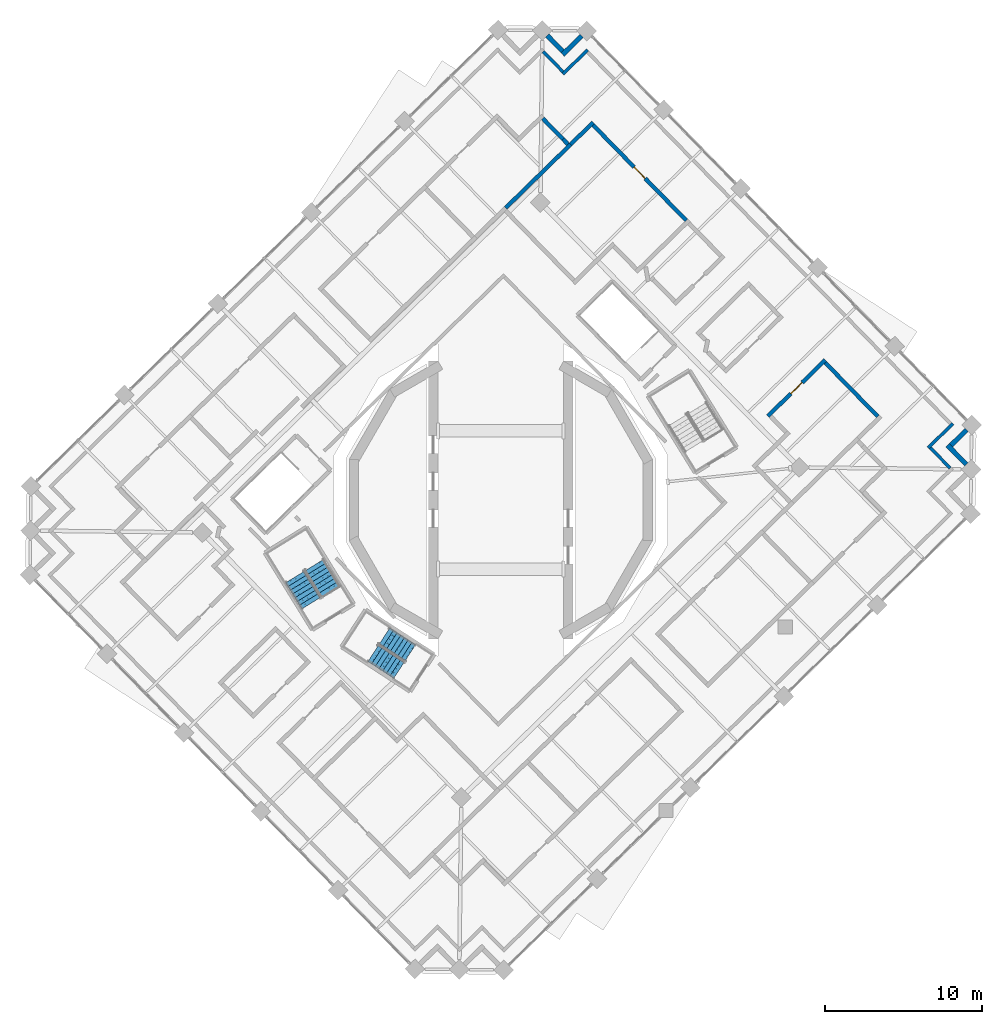
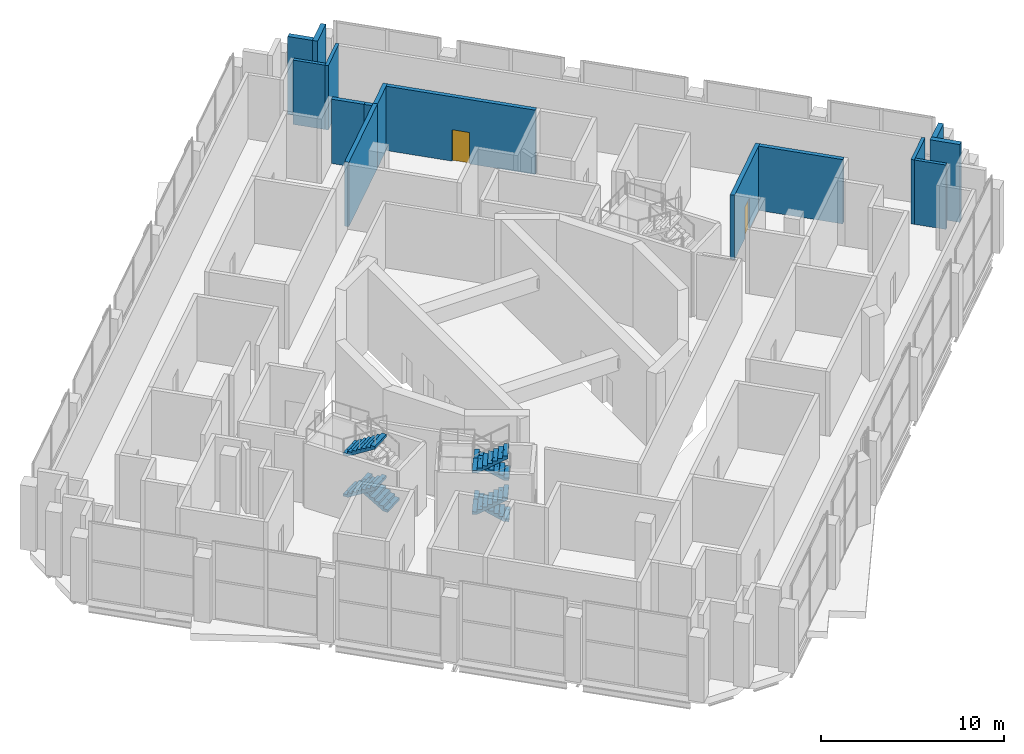
# One storey, part 16 of 20: 15 walls, 7 stair flights, 2 doors, 2 openings, 2 elements without a shape of their own.
"""IFC4 building model written with IfcOpenShell, lengths in metres."""

import ifcopenshell
import ifcopenshell.guid

model = None  # the IFC model being written
_history = None  # IfcOwnerHistory: only IFC2X3 demands one
_inside = {}  # id of a spatial element -> (the spatial element, [elements in it])
_under = {}  # id of a project, library or spatial element -> (it, [spatial elements below it])
_declared = {}  # id of a project -> (the project, [libraries it declares])
_typed = {}  # id of a type object -> (the type object, [elements of that type])
_made_of = {}  # id of a material, layer set ... -> (it, [elements and type objects made of it])


def new_model(schema):
    """Start an empty IFC model of exactly this schema.

    Asked for "IFC4X3", IfcOpenShell would pick the latest addendum, in which some entities
    have other attributes; the version numbers below select the first issue.
    IFC2X3 requires an IfcOwnerHistory on every rooted entity: one is made here for all.
    """
    global model, _history
    if schema == "IFC4X3":
        model = ifcopenshell.file(schema_version=(4, 3, 0, 0))
    else:
        model = ifcopenshell.file(schema=schema)
    _inside.clear()
    _under.clear()
    _declared.clear()
    _typed.clear()
    _made_of.clear()
    _history = None
    if model.schema == "IFC2X3":
        org = make("IfcOrganization", Name="unknown")
        user = make(
            "IfcPersonAndOrganization",
            ThePerson=make("IfcPerson", FamilyName="unknown"),
            TheOrganization=org,
        )
        app = make(
            "IfcApplication",
            ApplicationDeveloper=org,
            Version="unknown",
            ApplicationFullName="unknown",
            ApplicationIdentifier="unknown",
        )
        _history = make(
            "IfcOwnerHistory",
            OwningUser=user,
            OwningApplication=app,
            ChangeAction="ADDED",
            CreationDate=0,
        )
    return model


def make(cls, **values):
    """One entity of the class cls with the attributes given. An attribute that is None is left unset."""
    return model.create_entity(
        cls, **{name: value for name, value in values.items() if value is not None}
    )


def rooted(cls, **values):
    """An entity with a GlobalId (a new one), such as an element, a storey or a relation."""
    return make(cls, GlobalId=ifcopenshell.guid.new(), OwnerHistory=_history, **values)


def si_unit(unit_type, name, prefix=None):
    """IfcSIUnit, for example si_unit("LENGTHUNIT", "METRE", prefix="MILLI")."""
    return make("IfcSIUnit", UnitType=unit_type, Prefix=prefix, Name=name)


def assignment(units):
    """IfcUnitAssignment: the units of a project."""
    return None if units is None else make("IfcUnitAssignment", Units=units)


def point(xyz):
    """IfcCartesianPoint."""
    return None if xyz is None else make("IfcCartesianPoint", Coordinates=xyz)


def direction(xyz):
    """IfcDirection."""
    return None if xyz is None else make("IfcDirection", DirectionRatios=xyz)


def frame(location, z_axis=None, x_axis=None):
    """IfcAxis2Placement3D, a coordinate frame: its origin and axes. An axis left out is left unset."""
    return make(
        "IfcAxis2Placement3D",
        Location=point(location),
        Axis=direction(z_axis),
        RefDirection=direction(x_axis),
    )


def frame_2d(location, x_axis=None):
    """IfcAxis2Placement2D, a coordinate frame in the plane: its origin and x axis."""
    return make(
        "IfcAxis2Placement2D", Location=point(location), RefDirection=direction(x_axis)
    )


def origin():
    """The frame at (0, 0, 0) with its axes left unset."""
    return frame((0.0, 0.0, 0.0))


def place(relative_to, where):
    """IfcLocalPlacement: puts the frame where relative to a parent placement (None: the world)."""
    return make(
        "IfcLocalPlacement", PlacementRelTo=relative_to, RelativePlacement=where
    )


def context(
    kind, dimensions, precision=None, world=None, true_north=None, identifier=None
):
    """IfcGeometricRepresentationContext, for example the 3D "Model" context."""
    return make(
        "IfcGeometricRepresentationContext",
        ContextIdentifier=identifier,
        ContextType=kind,
        CoordinateSpaceDimension=dimensions,
        Precision=precision,
        WorldCoordinateSystem=world,
        TrueNorth=true_north,
    )


def subcontext(parent, identifier, kind, view, scale=None):
    """IfcGeometricRepresentationSubContext, for example "Body" below "Model"."""
    return make(
        "IfcGeometricRepresentationSubContext",
        ContextIdentifier=identifier,
        ContextType=kind,
        ParentContext=parent,
        TargetScale=scale,
        TargetView=view,
    )


def project(units=None, contexts=None):
    """IfcProject with its units and contexts."""
    return rooted(
        "IfcProject",
        Name="project",
        RepresentationContexts=contexts,
        UnitsInContext=assignment(units),
    )


def spatial(cls, under=None, at=None, **own):
    """A site, building, storey or space (cls), placed at a placement, below another one or the project."""
    s = rooted(cls, ObjectPlacement=at, **own)
    if under is not None:
        _under.setdefault(under.id(), (under, []))[1].append(s)
    return s


def polyline(points):
    """IfcPolyline through the points."""
    return make("IfcPolyline", Points=[point(p) for p in points])


def profile(cls, at=None, kind="AREA", **sizes):
    """A parametric profile (cls). Its sizes go by their IFC names, for example OverallWidth=200.0."""
    return make(cls, ProfileType=kind, Position=at, **sizes)


def rectangle(**sizes):
    """IfcRectangleProfileDef."""
    return profile("IfcRectangleProfileDef", **sizes)


def outline(outer, holes=None, kind="AREA"):
    """IfcArbitraryClosedProfileDef: a profile drawn as a closed curve; with holes, ...WithVoids."""
    if holes is None:
        return make("IfcArbitraryClosedProfileDef", ProfileType=kind, OuterCurve=outer)
    return make(
        "IfcArbitraryProfileDefWithVoids",
        ProfileType=kind,
        OuterCurve=outer,
        InnerCurves=holes,
    )


def extrude(swept, where, along, depth):
    """IfcExtrudedAreaSolid: the profile swept, set in the frame where, extruded along a direction by depth."""
    return make(
        "IfcExtrudedAreaSolid",
        SweptArea=swept,
        Position=where,
        ExtrudedDirection=direction(along),
        Depth=depth,
    )


def shape(context_of_items, identifier, shape_type, items):
    """IfcShapeRepresentation: the items that make up one representation, for example the "Body"."""
    return make(
        "IfcShapeRepresentation",
        ContextOfItems=context_of_items,
        RepresentationIdentifier=identifier,
        RepresentationType=shape_type,
        Items=items,
    )


def material(Name=None, Category=None):
    """IfcMaterial."""
    return make("IfcMaterial", Name=Name, Category=Category)


def layer(
    of_material, thickness, ventilated=None, Name=None, Category=None, Priority=None
):
    """IfcMaterialLayer: one layer of a wall or slab, of a material (None: an air gap)."""
    return make(
        "IfcMaterialLayer",
        Material=of_material,
        LayerThickness=thickness,
        IsVentilated=ventilated,
        Name=Name,
        Category=Category,
        Priority=Priority,
    )


def layer_set(layers, Name=None):
    """IfcMaterialLayerSet."""
    return make("IfcMaterialLayerSet", MaterialLayers=layers, LayerSetName=Name)


def made_of(thing, what):
    """Note that an element or type object is made of a material, layer set ...; save() writes the relation."""
    if what is not None:
        _made_of.setdefault(what.id(), (what, []))[1].append(thing)
    return thing


def type_object(cls, material=None, **own):
    """A type object (cls), such as IfcWallType, which elements share."""
    return made_of(rooted(cls, **own), material)


def element(
    cls,
    number,
    at=None,
    inside=None,
    cuts=None,
    type_object=None,
    material=None,
    context=None,
    identifier="Body",
    shape_type=None,
    held_by="IfcProductDefinitionShape",
    body=None,
    shapes=None,
    **own,
):
    """One element of the class cls, such as IfcWall. Its Tag is "e" and its number.

    at: its placement. inside: the storey or other place that contains it. cuts: it is an
    opening in that element (IfcRelVoidsElement). A single representation is given by context,
    identifier, shape_type and body (its items); several are given by shapes. held_by: the class
    of the entity that holds the representations. save() writes the other relations.
    """
    e = rooted(cls, Tag="e%d" % number, ObjectPlacement=at, **own)
    if body is not None:
        shapes = [shape(context, identifier, shape_type, body)]
    if shapes is not None:
        e.Representation = make(held_by, Representations=shapes)
    if inside is not None:
        _inside.setdefault(inside.id(), (inside, []))[1].append(e)
    if cuts is not None:
        rooted(
            "IfcRelVoidsElement", RelatingBuildingElement=cuts, RelatedOpeningElement=e
        )
    if type_object is not None:
        _typed.setdefault(type_object.id(), (type_object, []))[1].append(e)
    return made_of(e, material)


def fill(opening, filler):
    """IfcRelFillsElement: the door or window that sits in an opening."""
    return rooted(
        "IfcRelFillsElement",
        RelatingOpeningElement=opening,
        RelatedBuildingElement=filler,
    )


def aggregate(whole, parts):
    """IfcRelAggregates: a whole, such as a stair, and the parts it consists of."""
    return rooted("IfcRelAggregates", RelatingObject=whole, RelatedObjects=parts)


def save(model, path):
    """Write the relations noted so far, then the file.

    IfcRelAggregates (storeys below a building ...), IfcRelContainedInSpatialStructure (elements
    in a storey), IfcRelDefinesByType, IfcRelAssociatesMaterial and IfcRelDeclares: one each for
    every whole, place, type object, material and project.
    """
    for whole, parts in _under.values():
        aggregate(whole, parts)
    for where, things in _inside.values():
        rooted(
            "IfcRelContainedInSpatialStructure",
            RelatedElements=things,
            RelatingStructure=where,
        )
    for kind, things in _typed.values():
        rooted("IfcRelDefinesByType", RelatedObjects=things, RelatingType=kind)
    for what, things in _made_of.values():
        rooted("IfcRelAssociatesMaterial", RelatedObjects=things, RelatingMaterial=what)
    for by, libraries in _declared.values():
        rooted("IfcRelDeclares", RelatingContext=by, RelatedDefinitions=libraries)
    model.write(path)


model = new_model("IFC4")

# Units and contexts
model_context = context("Model", 3, precision=1e-05, world=origin(), true_north=direction((0.0, 1.0)))
body_context = subcontext(model_context, "Body", "Model", "MODEL_VIEW")
ifc_project = project(units=[si_unit("LENGTHUNIT", "METRE"), si_unit("AREAUNIT", "SQUARE_METRE"), si_unit("VOLUMEUNIT", "CUBIC_METRE"), si_unit("PLANEANGLEUNIT", "RADIAN"), si_unit("MASSUNIT", "GRAM", prefix="KILO")], contexts=[model_context])

# Site, building, storey
site_placement = place(None, origin())
site = spatial("IfcSite", under=ifc_project, at=site_placement, CompositionType="ELEMENT")
building_placement = place(site_placement, origin())
building = spatial("IfcBuilding", under=site, at=building_placement, Name="Cantera Rosa Tower", CompositionType="ELEMENT")
storey_placement = place(building_placement, frame((0.0, 0.0, 245.0)))
storey = spatial("IfcBuildingStorey", under=building, at=storey_placement, Name="L54", CompositionType="ELEMENT", Elevation=245.0)

# Walls
ifc_material_1 = material(Name="Masonry blockwork", Category="masonry")
ifc_layer_1 = layer(ifc_material_1, 0.199951171875)
ifc_layer_set_1 = layer_set([ifc_layer_1], Name="Blockwork partition 200")
wall_type_1 = type_object("IfcWallType", Name="Blockwork partition 200", PredefinedType="PARTITIONING", material=ifc_layer_set_1)
for number, where, z_axis, x_axis, name in (
    (1, (27.228759765625, 3.324951171875, 0.0), (0.0, 0.0, 1.0), (0.715325866743, 0.698791030543, 0.0), "Partition L54-108"),
    (2, (3.957763671875, 27.14404296875, 0.0), (0.0, 0.0, 1.0), (0.715271671648, 0.698846503703, 0.0), "Partition L54-111"),
):
    element("IfcWall", number, at=place(storey_placement, frame(where, z_axis=z_axis, x_axis=x_axis)), inside=storey, type_object=wall_type_1, Name=name, PredefinedType="PARTITIONING", context=body_context, shape_type="SweptSolid", body=[
        extrude(rectangle(XDim=2.199951171875, YDim=0.199951171875, at=frame_2d((1.10009765625, 0.0))), origin(), (0.0, 0.0, 1.0), 4.300048828125),
    ])
for number, where, z_axis, x_axis, name in (
    (3, (28.628173828125, 2.035888671875, 0.0), (0.0, 0.0, 1.0), (-0.69885411507, 0.715264234986, 0.0), "Partition L54-117"),
    (4, (3.959228515625, 27.285400390625, 0.0), (0.0, 0.0, 1.0), (-0.698784721194, 0.715332030197, 0.0), "Partition L54-118"),
):
    element("IfcWall", number, at=place(storey_placement, frame(where, z_axis=z_axis, x_axis=x_axis)), inside=storey, type_object=wall_type_1, Name=name, PredefinedType="PARTITIONING", context=body_context, shape_type="SweptSolid", body=[
        extrude(rectangle(XDim=1.800048828125, YDim=0.199951171875, at=frame_2d((0.89990234375, 0.0))), origin(), (0.0, 0.0, 1.0), 4.300048828125),
    ])
ifc_material_2 = material(Name="Hollow clay masonry with cantera stone cladding", Category="masonry")
ifc_layer_2 = layer(ifc_material_2, 0.300048828125)
ifc_layer_set_2 = layer_set([ifc_layer_2], Name="EW-LOGGIA 300")
wall_type_2 = type_object("IfcWallType", Name="EW-LOGGIA 300", PredefinedType="SOLIDWALL", material=ifc_layer_set_2)
wall_1_placement = place(storey_placement, frame((5.15283203125, 29.56982421875, 0.0), z_axis=(0.0, 0.0, 1.0), x_axis=(-0.715316077832, -0.69880105094, 0.0)))
element("IfcWall", 5, at=wall_1_placement, inside=storey, type_object=wall_type_2, Name="EN-L54-W05a", PredefinedType="SOLIDWALL", context=body_context, shape_type="SweptSolid", body=[
    extrude(rectangle(XDim=1.699951171875, YDim=0.300048828125, at=frame_2d((0.85009765625, 0.0))), origin(), (0.0, 0.0, 1.0), 5.199951171875),
])
wall_2_placement = place(storey_placement, frame((3.939208984375, 28.593994140625, 0.0), z_axis=(0.0, 0.0, 1.0), x_axis=(-0.698861982187, 0.715256548278, 0.0)))
element("IfcWall", 6, at=wall_2_placement, inside=storey, type_object=wall_type_2, Name="EN-L54-W05b", PredefinedType="SOLIDWALL", context=body_context, shape_type="SweptSolid", body=[
    extrude(rectangle(XDim=1.39990234375, YDim=0.300048828125, at=frame_2d((0.699951171875, 0.0))), origin(), (0.0, 0.0, 1.0), 5.199951171875),
])
wall_3_placement = place(storey_placement, frame((29.65625, 2.271484375, 0.0), z_axis=(0.0, 0.0, 1.0), x_axis=(-0.698872839675, 0.715245939495, 0.0)))
element("IfcWall", 7, at=wall_3_placement, inside=storey, type_object=wall_type_2, Name="EN-L54-W27a", PredefinedType="SOLIDWALL", context=body_context, shape_type="SweptSolid", body=[
    extrude(rectangle(XDim=1.699951171875, YDim=0.300048828125, at=frame_2d((0.85009765625, 0.0))), origin(), (0.0, 0.0, 1.0), 5.199951171875),
])
wall_4_placement = place(storey_placement, frame((28.680419921875, 3.48486328125, 0.0), z_axis=(0.0, 0.0, 1.0), x_axis=(0.71516937164, 0.698951192766, 0.0)))
element("IfcWall", 8, at=wall_4_placement, inside=storey, type_object=wall_type_2, Name="EN-L54-W27b", PredefinedType="SOLIDWALL", context=body_context, shape_type="SweptSolid", body=[
    extrude(rectangle(XDim=1.39990234375, YDim=0.300048828125, at=frame_2d((0.699951171875, 0.0))), origin(), (0.0, 0.0, 1.0), 5.199951171875),
])
ifc_material_3 = material(Name="Masonry blockwork", Category="masonry")
ifc_layer_3 = layer(ifc_material_3, 0.25)
ifc_layer_set_3 = layer_set([ifc_layer_3], Name="Fire-rated wall 250")
wall_type_3 = type_object("IfcWallType", Name="Fire-rated wall 250", PredefinedType="PARTITIONING", material=ifc_layer_set_3)
wall_5_placement = place(storey_placement, frame((0.304931640625, 18.6123046875, 0.0), z_axis=(0.0, 0.0, 1.0), x_axis=(0.715286643905, 0.698831179221, 0.0)))
element("IfcWall", 9, at=wall_5_placement, inside=storey, type_object=wall_type_3, Name="Fire wall L54-33", PredefinedType="PARTITIONING", context=body_context, shape_type="SweptSolid", body=[
    extrude(rectangle(XDim=5.801025390625, YDim=0.25, at=frame_2d((2.900390625, 0.0))), origin(), (0.0, 0.0, 1.0), 4.300048828125),
])
wall_6_placement = place(storey_placement, frame((4.454345703125, 22.666259765625, 0.0), z_axis=(0.0, 0.0, 1.0), x_axis=(0.715302350953, 0.698815101955, 0.0)))
element("IfcWall", 10, at=wall_6_placement, inside=storey, type_object=wall_type_3, Name="Fire wall L54-34", PredefinedType="PARTITIONING", context=body_context, shape_type="SweptSolid", body=[
    extrude(rectangle(XDim=1.9990234375, YDim=0.25, at=frame_2d((0.99951171875, 0.0))), origin(), (0.0, 0.0, 1.0), 4.300048828125),
])
wall_7_placement = place(storey_placement, frame((4.277587890625, 22.668212890625, 0.0), z_axis=(0.0, 0.0, 1.0), x_axis=(-0.69862951548, 0.715483612741, 0.0)))
element("IfcWall", 11, at=wall_7_placement, inside=storey, type_object=wall_type_3, Name="Fire wall L54-46", PredefinedType="PARTITIONING", context=body_context, shape_type="SweptSolid", body=[
    extrude(rectangle(XDim=0.448974609375, YDim=0.25, at=frame_2d((0.224609375, 0.0))), origin(), (0.0, 0.0, 1.0), 4.300048828125),
])
wall_8_placement = place(storey_placement, frame((3.9638671875, 22.989501953125, 0.0), z_axis=(0.0, 0.0, 1.0), x_axis=(-0.698814871501, 0.715302576095, 0.0)))
element("IfcWall", 12, at=wall_8_placement, inside=storey, type_object=wall_type_3, Name="Fire wall L54-47", PredefinedType="PARTITIONING", context=body_context, shape_type="SweptSolid", body=[
    extrude(rectangle(XDim=1.850830078125, YDim=0.25, at=frame_2d((0.92529296875, 0.0))), origin(), (0.0, 0.0, 1.0), 4.300048828125),
])

# Wall, opening, door
wall_9_placement = place(storey_placement, frame((17.00830078125, 5.340087890625, 0.0), z_axis=(0.0, 0.0, 1.0), x_axis=(0.715272665051, 0.69884548695, 0.0)))
wall_9 = element("IfcWall", 13, at=wall_9_placement, inside=storey, type_object=wall_type_3, Name="Fire wall L54-51", PredefinedType="PARTITIONING", context=body_context, shape_type="SweptSolid", body=[
    extrude(rectangle(XDim=5.12744140625, YDim=0.25, at=frame_2d((2.563720703125, 0.0))), origin(), (0.0, 0.0, 1.0), 4.300048828125),
])
opening_1_placement = place(wall_9_placement, frame((2.063720703125, 0.0, 0.0)))
opening_1 = element("IfcOpeningElement", 14, at=opening_1_placement, cuts=wall_9, Name="Opening L54-005", PredefinedType="OPENING", context=body_context, shape_type="SweptSolid", body=[
    extrude(rectangle(XDim=1.0, YDim=2.10009765625, at=frame_2d((0.5, 1.050048828125))), frame((0.0, 0.135009765625, 0.0), z_axis=(0.0, -1.0, 0.0), x_axis=(1.0, 0.0, 0.0)), (0.0, 0.0, 1.0), 0.27001953125),
])
ifc_material_4 = material(Name="Steel S355J2 (EN 10025-2)", Category="steel")
door_type = type_object("IfcDoorType", Name="Fire door 1000x2100", OperationType="NOTDEFINED", PredefinedType="DOOR", material=ifc_material_4)
door_1_placement = place(opening_1_placement, origin())
door_1 = element("IfcDoor", 15, at=door_1_placement, inside=storey, type_object=door_type, Name="Door L54-005", OverallHeight=2.10009765625, OverallWidth=1.0, PredefinedType="DOOR", context=body_context, shape_type="SweptSolid", body=[
    extrude(rectangle(XDim=1.0, YDim=2.10009765625, at=frame_2d((0.5, 1.050048828125))), frame((0.0, 0.02490234375, 0.0), z_axis=(0.0, -1.0, 0.0), x_axis=(1.0, 0.0, 0.0)), (0.0, 0.0, 1.0), 0.050048828125),
])
fill(opening_1, door_1)

# Wall
wall_10_placement = place(storey_placement, frame((24.016845703125, 5.32470703125, 0.0), z_axis=(0.0, 0.0, 1.0), x_axis=(-0.698816657899, 0.71530083087, 0.0)))
element("IfcWall", 16, at=wall_10_placement, inside=storey, type_object=wall_type_3, Name="Fire wall L54-52", PredefinedType="PARTITIONING", context=body_context, shape_type="SweptSolid", body=[
    extrude(rectangle(XDim=4.783935546875, YDim=0.25, at=frame_2d((2.39208984375, 0.0))), origin(), (0.0, 0.0, 1.0), 4.300048828125),
])

# Wall, opening, door
wall_11_placement = place(storey_placement, frame((11.810546875, 17.818359375, 0.0), z_axis=(0.0, 0.0, 1.0), x_axis=(-0.698828227641, 0.715289527571, 0.0)))
wall_11 = element("IfcWall", 17, at=wall_11_placement, inside=storey, type_object=wall_type_3, Name="Fire wall L54-55", PredefinedType="PARTITIONING", context=body_context, shape_type="SweptSolid", body=[
    extrude(rectangle(XDim=8.4833984375, YDim=0.25, at=frame_2d((4.24169921875, 0.0))), origin(), (0.0, 0.0, 1.0), 4.300048828125),
])
opening_2_placement = place(wall_11_placement, frame((3.74169921875, 0.0, 0.0)))
opening_2 = element("IfcOpeningElement", 18, at=opening_2_placement, cuts=wall_11, Name="Opening L54-008", PredefinedType="OPENING", context=body_context, shape_type="SweptSolid", body=[
    extrude(rectangle(XDim=1.0, YDim=2.10009765625, at=frame_2d((0.5, 1.050048828125))), frame((0.0, 0.135009765625, 0.0), z_axis=(0.0, -1.0, 0.0), x_axis=(1.0, 0.0, 0.0)), (0.0, 0.0, 1.0), 0.27001953125),
])
door_2_placement = place(opening_2_placement, origin())
door_2 = element("IfcDoor", 19, at=door_2_placement, inside=storey, type_object=door_type, Name="Door L54-008", OverallHeight=2.10009765625, OverallWidth=1.0, PredefinedType="DOOR", context=body_context, shape_type="SweptSolid", body=[
    extrude(rectangle(XDim=1.0, YDim=2.10009765625, at=frame_2d((0.5, 1.050048828125))), frame((0.0, 0.02490234375, 0.0), z_axis=(0.0, -1.0, 0.0), x_axis=(1.0, 0.0, 0.0)), (0.0, 0.0, 1.0), 0.050048828125),
])
fill(opening_2, door_2)

# Stair, stair flights
ifc_material_5 = material(Name="Concrete C35/45", Category="concrete")
stair_type_1 = type_object("IfcStairType", Name="EXIT STAIR 1200 DOGLEG", PredefinedType="HALF_TURN_STAIR", material=ifc_material_5)
stair_1_placement = place(storey_placement, origin())
stair_1 = element("IfcStair", 20, at=stair_1_placement, inside=storey, type_object=stair_type_1, Name="L54 ST-53", PredefinedType="HALF_TURN_STAIR")
ifc_material_6 = material(Name="Concrete C35/45", Category="concrete")
stair_flight_type_1 = type_object("IfcStairFlightType", Name="STAIR FLIGHT 1200 R32x172", PredefinedType="STRAIGHT", material=ifc_material_6)
stair_flight_1_placement = place(storey_placement, frame((-5.76318359375, -9.728271484375, 0.0), z_axis=(0.0, 0.0, 1.0), x_axis=(-0.838670567945, 0.544639035015, 0.0)))
stair_flight_1 = element("IfcStairFlight", 21, at=stair_flight_1_placement, type_object=stair_flight_type_1, Name="ST-53 flight 1", NumberOfRisers=8, NumberOfTreads=7, PredefinedType="STRAIGHT", RiserHeight=0.171875, TreadLength=0.28, context=body_context, shape_type="SweptSolid", body=[
    extrude(outline(polyline([(0.0, 0.0), (0.0, 0.171875), (0.280029296875, 0.171875), (0.280029296875, 0.34375), (0.56005859375, 0.34375), (0.56005859375, 0.515625), (0.840087890625, 0.515625), (0.840087890625, 0.6875), (1.1201171875, 0.6875), (1.1201171875, 0.859375), (1.39990234375, 0.859375), (1.39990234375, 1.03125), (1.679931640625, 1.03125), (1.679931640625, 1.203125), (1.9599609375, 1.203125), (1.9599609375, 1.375), (1.9599609375, 1.02734375), (0.28662109375, 0.0), (0.0, 0.0)])), frame((0.0, 0.60009765625, 0.0), z_axis=(0.0, -1.0, 0.0), x_axis=(1.0, 0.0, 0.0)), (0.0, 0.0, 1.0), 0.298583984375),
    extrude(outline(polyline([(0.0, 0.0), (0.0, 0.171875), (0.280029296875, 0.171875), (0.280029296875, 0.34375), (0.56005859375, 0.34375), (0.56005859375, 0.515625), (0.840087890625, 0.515625), (0.840087890625, 0.6875), (1.1201171875, 0.6875), (1.1201171875, 0.859375), (1.39990234375, 0.859375), (1.39990234375, 1.03125), (1.679931640625, 1.03125), (1.679931640625, 1.203125), (1.9599609375, 1.203125), (1.9599609375, 1.375), (1.9599609375, 1.02734375), (0.28662109375, 0.0), (0.0, 0.0)])), frame((0.0, 0.29931640625, 0.0), z_axis=(0.0, -1.0, 0.0), x_axis=(1.0, 0.0, 0.0)), (0.0, 0.0, 1.0), 0.298583984375),
    extrude(outline(polyline([(0.0, 0.0), (0.0, 0.171875), (0.280029296875, 0.171875), (0.280029296875, 0.34375), (0.56005859375, 0.34375), (0.56005859375, 0.515625), (0.840087890625, 0.515625), (0.840087890625, 0.6875), (1.1201171875, 0.6875), (1.1201171875, 0.859375), (1.39990234375, 0.859375), (1.39990234375, 1.03125), (1.679931640625, 1.03125), (1.679931640625, 1.203125), (1.9599609375, 1.203125), (1.9599609375, 1.375), (1.9599609375, 1.02734375), (0.28662109375, 0.0), (0.0, 0.0)])), frame((0.0, -0.0009765625, 0.0), z_axis=(0.0, -1.0, 0.0), x_axis=(1.0, 0.0, 0.0)), (0.0, 0.0, 1.0), 0.298583984375),
    extrude(outline(polyline([(0.0, 0.0), (0.0, 0.171875), (0.280029296875, 0.171875), (0.280029296875, 0.34375), (0.56005859375, 0.34375), (0.56005859375, 0.515625), (0.840087890625, 0.515625), (0.840087890625, 0.6875), (1.1201171875, 0.6875), (1.1201171875, 0.859375), (1.39990234375, 0.859375), (1.39990234375, 1.03125), (1.679931640625, 1.03125), (1.679931640625, 1.203125), (1.9599609375, 1.203125), (1.9599609375, 1.375), (1.9599609375, 1.02734375), (0.28662109375, 0.0), (0.0, 0.0)])), frame((0.0, -0.3017578125, 0.0), z_axis=(0.0, -1.0, 0.0), x_axis=(1.0, 0.0, 0.0)), (0.0, 0.0, 1.0), 0.298583984375),
])
stair_flight_2_placement = place(storey_placement, frame((-8.14208984375, -9.79296875, 1.375), z_axis=(0.0, 0.0, 1.0), x_axis=(0.838670567945, -0.544639035015, 0.0)))
stair_flight_2 = element("IfcStairFlight", 22, at=stair_flight_2_placement, type_object=stair_flight_type_1, Name="ST-53 flight 2", NumberOfRisers=8, NumberOfTreads=7, PredefinedType="STRAIGHT", RiserHeight=0.171875, TreadLength=0.28, context=body_context, shape_type="SweptSolid", body=[
    extrude(outline(polyline([(0.0, 0.0), (0.0, 0.171875), (0.280029296875, 0.171875), (0.280029296875, 0.34375), (0.56005859375, 0.34375), (0.56005859375, 0.515625), (0.840087890625, 0.515625), (0.840087890625, 0.6875), (1.1201171875, 0.6875), (1.1201171875, 0.859375), (1.39990234375, 0.859375), (1.39990234375, 1.03125), (1.679931640625, 1.03125), (1.679931640625, 1.203125), (1.9599609375, 1.203125), (1.9599609375, 1.375), (1.9599609375, 1.02734375), (0.28662109375, 0.0), (0.0, 0.0)])), frame((0.0, 0.60009765625, 0.0), z_axis=(0.0, -1.0, 0.0), x_axis=(1.0, 0.0, 0.0)), (0.0, 0.0, 1.0), 0.298583984375),
    extrude(outline(polyline([(0.0, 0.0), (0.0, 0.171875), (0.280029296875, 0.171875), (0.280029296875, 0.34375), (0.56005859375, 0.34375), (0.56005859375, 0.515625), (0.840087890625, 0.515625), (0.840087890625, 0.6875), (1.1201171875, 0.6875), (1.1201171875, 0.859375), (1.39990234375, 0.859375), (1.39990234375, 1.03125), (1.679931640625, 1.03125), (1.679931640625, 1.203125), (1.9599609375, 1.203125), (1.9599609375, 1.375), (1.9599609375, 1.02734375), (0.28662109375, 0.0), (0.0, 0.0)])), frame((0.0, 0.29931640625, 0.0), z_axis=(0.0, -1.0, 0.0), x_axis=(1.0, 0.0, 0.0)), (0.0, 0.0, 1.0), 0.298583984375),
    extrude(outline(polyline([(0.0, 0.0), (0.0, 0.171875), (0.280029296875, 0.171875), (0.280029296875, 0.34375), (0.56005859375, 0.34375), (0.56005859375, 0.515625), (0.840087890625, 0.515625), (0.840087890625, 0.6875), (1.1201171875, 0.6875), (1.1201171875, 0.859375), (1.39990234375, 0.859375), (1.39990234375, 1.03125), (1.679931640625, 1.03125), (1.679931640625, 1.203125), (1.9599609375, 1.203125), (1.9599609375, 1.375), (1.9599609375, 1.02734375), (0.28662109375, 0.0), (0.0, 0.0)])), frame((0.0, -0.0009765625, 0.0), z_axis=(0.0, -1.0, 0.0), x_axis=(1.0, 0.0, 0.0)), (0.0, 0.0, 1.0), 0.298583984375),
    extrude(outline(polyline([(0.0, 0.0), (0.0, 0.171875), (0.280029296875, 0.171875), (0.280029296875, 0.34375), (0.56005859375, 0.34375), (0.56005859375, 0.515625), (0.840087890625, 0.515625), (0.840087890625, 0.6875), (1.1201171875, 0.6875), (1.1201171875, 0.859375), (1.39990234375, 0.859375), (1.39990234375, 1.03125), (1.679931640625, 1.03125), (1.679931640625, 1.203125), (1.9599609375, 1.203125), (1.9599609375, 1.375), (1.9599609375, 1.02734375), (0.28662109375, 0.0), (0.0, 0.0)])), frame((0.0, -0.3017578125, 0.0), z_axis=(0.0, -1.0, 0.0), x_axis=(1.0, 0.0, 0.0)), (0.0, 0.0, 1.0), 0.298583984375),
])
stair_flight_3_placement = place(storey_placement, frame((-5.76318359375, -9.728271484375, 2.75), z_axis=(0.0, 0.0, 1.0), x_axis=(-0.838670567945, 0.544639035015, 0.0)))
stair_flight_3 = element("IfcStairFlight", 23, at=stair_flight_3_placement, type_object=stair_flight_type_1, Name="ST-53 flight 3", NumberOfRisers=8, NumberOfTreads=7, PredefinedType="STRAIGHT", RiserHeight=0.171875, TreadLength=0.28, context=body_context, shape_type="SweptSolid", body=[
    extrude(outline(polyline([(0.0, 0.0), (0.0, 0.171875), (0.280029296875, 0.171875), (0.280029296875, 0.34375), (0.56005859375, 0.34375), (0.56005859375, 0.515625), (0.840087890625, 0.515625), (0.840087890625, 0.6875), (1.1201171875, 0.6875), (1.1201171875, 0.859375), (1.39990234375, 0.859375), (1.39990234375, 1.03125), (1.679931640625, 1.03125), (1.679931640625, 1.203125), (1.9599609375, 1.203125), (1.9599609375, 1.375), (1.9599609375, 1.02734375), (0.28662109375, 0.0), (0.0, 0.0)])), frame((0.0, 0.60009765625, 0.0), z_axis=(0.0, -1.0, 0.0), x_axis=(1.0, 0.0, 0.0)), (0.0, 0.0, 1.0), 0.298583984375),
    extrude(outline(polyline([(0.0, 0.0), (0.0, 0.171875), (0.280029296875, 0.171875), (0.280029296875, 0.34375), (0.56005859375, 0.34375), (0.56005859375, 0.515625), (0.840087890625, 0.515625), (0.840087890625, 0.6875), (1.1201171875, 0.6875), (1.1201171875, 0.859375), (1.39990234375, 0.859375), (1.39990234375, 1.03125), (1.679931640625, 1.03125), (1.679931640625, 1.203125), (1.9599609375, 1.203125), (1.9599609375, 1.375), (1.9599609375, 1.02734375), (0.28662109375, 0.0), (0.0, 0.0)])), frame((0.0, 0.29931640625, 0.0), z_axis=(0.0, -1.0, 0.0), x_axis=(1.0, 0.0, 0.0)), (0.0, 0.0, 1.0), 0.298583984375),
    extrude(outline(polyline([(0.0, 0.0), (0.0, 0.171875), (0.280029296875, 0.171875), (0.280029296875, 0.34375), (0.56005859375, 0.34375), (0.56005859375, 0.515625), (0.840087890625, 0.515625), (0.840087890625, 0.6875), (1.1201171875, 0.6875), (1.1201171875, 0.859375), (1.39990234375, 0.859375), (1.39990234375, 1.03125), (1.679931640625, 1.03125), (1.679931640625, 1.203125), (1.9599609375, 1.203125), (1.9599609375, 1.375), (1.9599609375, 1.02734375), (0.28662109375, 0.0), (0.0, 0.0)])), frame((0.0, -0.0009765625, 0.0), z_axis=(0.0, -1.0, 0.0), x_axis=(1.0, 0.0, 0.0)), (0.0, 0.0, 1.0), 0.298583984375),
    extrude(outline(polyline([(0.0, 0.0), (0.0, 0.171875), (0.280029296875, 0.171875), (0.280029296875, 0.34375), (0.56005859375, 0.34375), (0.56005859375, 0.515625), (0.840087890625, 0.515625), (0.840087890625, 0.6875), (1.1201171875, 0.6875), (1.1201171875, 0.859375), (1.39990234375, 0.859375), (1.39990234375, 1.03125), (1.679931640625, 1.03125), (1.679931640625, 1.203125), (1.9599609375, 1.203125), (1.9599609375, 1.375), (1.9599609375, 1.02734375), (0.28662109375, 0.0), (0.0, 0.0)])), frame((0.0, -0.3017578125, 0.0), z_axis=(0.0, -1.0, 0.0), x_axis=(1.0, 0.0, 0.0)), (0.0, 0.0, 1.0), 0.298583984375),
])
stair_flight_4_placement = place(storey_placement, frame((-8.14208984375, -9.79296875, 4.125), z_axis=(0.0, 0.0, 1.0), x_axis=(0.838670567945, -0.544639035015, 0.0)))
stair_flight_4 = element("IfcStairFlight", 24, at=stair_flight_4_placement, type_object=stair_flight_type_1, Name="ST-53 flight 4", NumberOfRisers=8, NumberOfTreads=7, PredefinedType="STRAIGHT", RiserHeight=0.171875, TreadLength=0.28, context=body_context, shape_type="SweptSolid", body=[
    extrude(outline(polyline([(0.0, 0.0), (0.0, 0.171875), (0.280029296875, 0.171875), (0.280029296875, 0.34375), (0.56005859375, 0.34375), (0.56005859375, 0.515625), (0.840087890625, 0.515625), (0.840087890625, 0.6875), (1.1201171875, 0.6875), (1.1201171875, 0.859375), (1.39990234375, 0.859375), (1.39990234375, 1.03125), (1.679931640625, 1.03125), (1.679931640625, 1.203125), (1.9599609375, 1.203125), (1.9599609375, 1.375), (1.9599609375, 1.02734375), (0.28662109375, 0.0), (0.0, 0.0)])), frame((0.0, 0.60009765625, 0.0), z_axis=(0.0, -1.0, 0.0), x_axis=(1.0, 0.0, 0.0)), (0.0, 0.0, 1.0), 0.298583984375),
    extrude(outline(polyline([(0.0, 0.0), (0.0, 0.171875), (0.280029296875, 0.171875), (0.280029296875, 0.34375), (0.56005859375, 0.34375), (0.56005859375, 0.515625), (0.840087890625, 0.515625), (0.840087890625, 0.6875), (1.1201171875, 0.6875), (1.1201171875, 0.859375), (1.39990234375, 0.859375), (1.39990234375, 1.03125), (1.679931640625, 1.03125), (1.679931640625, 1.203125), (1.9599609375, 1.203125), (1.9599609375, 1.375), (1.9599609375, 1.02734375), (0.28662109375, 0.0), (0.0, 0.0)])), frame((0.0, 0.29931640625, 0.0), z_axis=(0.0, -1.0, 0.0), x_axis=(1.0, 0.0, 0.0)), (0.0, 0.0, 1.0), 0.298583984375),
    extrude(outline(polyline([(0.0, 0.0), (0.0, 0.171875), (0.280029296875, 0.171875), (0.280029296875, 0.34375), (0.56005859375, 0.34375), (0.56005859375, 0.515625), (0.840087890625, 0.515625), (0.840087890625, 0.6875), (1.1201171875, 0.6875), (1.1201171875, 0.859375), (1.39990234375, 0.859375), (1.39990234375, 1.03125), (1.679931640625, 1.03125), (1.679931640625, 1.203125), (1.9599609375, 1.203125), (1.9599609375, 1.375), (1.9599609375, 1.02734375), (0.28662109375, 0.0), (0.0, 0.0)])), frame((0.0, -0.0009765625, 0.0), z_axis=(0.0, -1.0, 0.0), x_axis=(1.0, 0.0, 0.0)), (0.0, 0.0, 1.0), 0.298583984375),
    extrude(outline(polyline([(0.0, 0.0), (0.0, 0.171875), (0.280029296875, 0.171875), (0.280029296875, 0.34375), (0.56005859375, 0.34375), (0.56005859375, 0.515625), (0.840087890625, 0.515625), (0.840087890625, 0.6875), (1.1201171875, 0.6875), (1.1201171875, 0.859375), (1.39990234375, 0.859375), (1.39990234375, 1.03125), (1.679931640625, 1.03125), (1.679931640625, 1.203125), (1.9599609375, 1.203125), (1.9599609375, 1.375), (1.9599609375, 1.02734375), (0.28662109375, 0.0), (0.0, 0.0)])), frame((0.0, -0.3017578125, 0.0), z_axis=(0.0, -1.0, 0.0), x_axis=(1.0, 0.0, 0.0)), (0.0, 0.0, 1.0), 0.298583984375),
])
aggregate(stair_1, [stair_flight_1, stair_flight_2, stair_flight_3, stair_flight_4])

ifc_material_7 = material(Name="Concrete C35/45", Category="concrete")
stair_type_2 = type_object("IfcStairType", Name="EXIT STAIR 1350 DOGLEG", PredefinedType="HALF_TURN_STAIR", material=ifc_material_7)
stair_2_placement = place(storey_placement, origin())
stair_2 = element("IfcStair", 25, at=stair_2_placement, inside=storey, type_object=stair_type_2, Name="L54 ST-52", PredefinedType="HALF_TURN_STAIR")
ifc_material_8 = material(Name="Concrete C35/45", Category="concrete")
stair_flight_type_2 = type_object("IfcStairFlightType", Name="STAIR FLIGHT 1350 R32x172", PredefinedType="STRAIGHT", material=ifc_material_8)
stair_flight_5_placement = place(storey_placement, frame((-10.82666015625, -5.7978515625, 0.0), z_axis=(0.0, 0.0, 1.0), x_axis=(-0.524976585286, 0.851116669383, 0.0)))
stair_flight_5 = element("IfcStairFlight", 26, at=stair_flight_5_placement, type_object=stair_flight_type_2, Name="ST-52 flight 1", NumberOfRisers=8, NumberOfTreads=7, PredefinedType="STRAIGHT", RiserHeight=0.171875, TreadLength=0.28, context=body_context, shape_type="SweptSolid", body=[
    extrude(outline(polyline([(0.0, 0.0), (0.0, 0.171875), (0.280029296875, 0.171875), (0.280029296875, 0.34375), (0.56005859375, 0.34375), (0.56005859375, 0.515625), (0.840087890625, 0.515625), (0.840087890625, 0.6875), (1.1201171875, 0.6875), (1.1201171875, 0.859375), (1.39990234375, 0.859375), (1.39990234375, 1.03125), (1.679931640625, 1.03125), (1.679931640625, 1.203125), (1.9599609375, 1.203125), (1.9599609375, 1.375), (1.9599609375, 1.02734375), (0.28662109375, 0.0), (0.0, 0.0)])), frame((0.0, 0.675048828125, 0.0), z_axis=(0.0, -1.0, 0.0), x_axis=(1.0, 0.0, 0.0)), (0.0, 0.0, 1.0), 0.3359375),
    extrude(outline(polyline([(0.0, 0.0), (0.0, 0.171875), (0.280029296875, 0.171875), (0.280029296875, 0.34375), (0.56005859375, 0.34375), (0.56005859375, 0.515625), (0.840087890625, 0.515625), (0.840087890625, 0.6875), (1.1201171875, 0.6875), (1.1201171875, 0.859375), (1.39990234375, 0.859375), (1.39990234375, 1.03125), (1.679931640625, 1.03125), (1.679931640625, 1.203125), (1.9599609375, 1.203125), (1.9599609375, 1.375), (1.9599609375, 1.02734375), (0.28662109375, 0.0), (0.0, 0.0)])), frame((0.0, 0.337158203125, 0.0), z_axis=(0.0, -1.0, 0.0), x_axis=(1.0, 0.0, 0.0)), (0.0, 0.0, 1.0), 0.3359375),
    extrude(outline(polyline([(0.0, 0.0), (0.0, 0.171875), (0.280029296875, 0.171875), (0.280029296875, 0.34375), (0.56005859375, 0.34375), (0.56005859375, 0.515625), (0.840087890625, 0.515625), (0.840087890625, 0.6875), (1.1201171875, 0.6875), (1.1201171875, 0.859375), (1.39990234375, 0.859375), (1.39990234375, 1.03125), (1.679931640625, 1.03125), (1.679931640625, 1.203125), (1.9599609375, 1.203125), (1.9599609375, 1.375), (1.9599609375, 1.02734375), (0.28662109375, 0.0), (0.0, 0.0)])), frame((0.0, -0.000732421875, 0.0), z_axis=(0.0, -1.0, 0.0), x_axis=(1.0, 0.0, 0.0)), (0.0, 0.0, 1.0), 0.3359375),
    extrude(outline(polyline([(0.0, 0.0), (0.0, 0.171875), (0.280029296875, 0.171875), (0.280029296875, 0.34375), (0.56005859375, 0.34375), (0.56005859375, 0.515625), (0.840087890625, 0.515625), (0.840087890625, 0.6875), (1.1201171875, 0.6875), (1.1201171875, 0.859375), (1.39990234375, 0.859375), (1.39990234375, 1.03125), (1.679931640625, 1.03125), (1.679931640625, 1.203125), (1.9599609375, 1.203125), (1.9599609375, 1.375), (1.9599609375, 1.02734375), (0.28662109375, 0.0), (0.0, 0.0)])), frame((0.0, -0.338623046875, 0.0), z_axis=(0.0, -1.0, 0.0), x_axis=(1.0, 0.0, 0.0)), (0.0, 0.0, 1.0), 0.3359375),
])
stair_flight_6_placement = place(storey_placement, frame((-13.13232421875, -4.9169921875, 1.375), z_axis=(0.0, 0.0, 1.0), x_axis=(0.524976585286, -0.851116669383, 0.0)))
stair_flight_6 = element("IfcStairFlight", 27, at=stair_flight_6_placement, type_object=stair_flight_type_2, Name="ST-52 flight 2", NumberOfRisers=8, NumberOfTreads=7, PredefinedType="STRAIGHT", RiserHeight=0.171875, TreadLength=0.28, context=body_context, shape_type="SweptSolid", body=[
    extrude(outline(polyline([(0.0, 0.0), (0.0, 0.171875), (0.280029296875, 0.171875), (0.280029296875, 0.34375), (0.56005859375, 0.34375), (0.56005859375, 0.515625), (0.840087890625, 0.515625), (0.840087890625, 0.6875), (1.1201171875, 0.6875), (1.1201171875, 0.859375), (1.39990234375, 0.859375), (1.39990234375, 1.03125), (1.679931640625, 1.03125), (1.679931640625, 1.203125), (1.9599609375, 1.203125), (1.9599609375, 1.375), (1.9599609375, 1.02734375), (0.28662109375, 0.0), (0.0, 0.0)])), frame((0.0, 0.675048828125, 0.0), z_axis=(0.0, -1.0, 0.0), x_axis=(1.0, 0.0, 0.0)), (0.0, 0.0, 1.0), 0.3359375),
    extrude(outline(polyline([(0.0, 0.0), (0.0, 0.171875), (0.280029296875, 0.171875), (0.280029296875, 0.34375), (0.56005859375, 0.34375), (0.56005859375, 0.515625), (0.840087890625, 0.515625), (0.840087890625, 0.6875), (1.1201171875, 0.6875), (1.1201171875, 0.859375), (1.39990234375, 0.859375), (1.39990234375, 1.03125), (1.679931640625, 1.03125), (1.679931640625, 1.203125), (1.9599609375, 1.203125), (1.9599609375, 1.375), (1.9599609375, 1.02734375), (0.28662109375, 0.0), (0.0, 0.0)])), frame((0.0, 0.337158203125, 0.0), z_axis=(0.0, -1.0, 0.0), x_axis=(1.0, 0.0, 0.0)), (0.0, 0.0, 1.0), 0.3359375),
    extrude(outline(polyline([(0.0, 0.0), (0.0, 0.171875), (0.280029296875, 0.171875), (0.280029296875, 0.34375), (0.56005859375, 0.34375), (0.56005859375, 0.515625), (0.840087890625, 0.515625), (0.840087890625, 0.6875), (1.1201171875, 0.6875), (1.1201171875, 0.859375), (1.39990234375, 0.859375), (1.39990234375, 1.03125), (1.679931640625, 1.03125), (1.679931640625, 1.203125), (1.9599609375, 1.203125), (1.9599609375, 1.375), (1.9599609375, 1.02734375), (0.28662109375, 0.0), (0.0, 0.0)])), frame((0.0, -0.000732421875, 0.0), z_axis=(0.0, -1.0, 0.0), x_axis=(1.0, 0.0, 0.0)), (0.0, 0.0, 1.0), 0.3359375),
    extrude(outline(polyline([(0.0, 0.0), (0.0, 0.171875), (0.280029296875, 0.171875), (0.280029296875, 0.34375), (0.56005859375, 0.34375), (0.56005859375, 0.515625), (0.840087890625, 0.515625), (0.840087890625, 0.6875), (1.1201171875, 0.6875), (1.1201171875, 0.859375), (1.39990234375, 0.859375), (1.39990234375, 1.03125), (1.679931640625, 1.03125), (1.679931640625, 1.203125), (1.9599609375, 1.203125), (1.9599609375, 1.375), (1.9599609375, 1.02734375), (0.28662109375, 0.0), (0.0, 0.0)])), frame((0.0, -0.338623046875, 0.0), z_axis=(0.0, -1.0, 0.0), x_axis=(1.0, 0.0, 0.0)), (0.0, 0.0, 1.0), 0.3359375),
])
stair_flight_7_placement = place(storey_placement, frame((-13.13232421875, -4.9169921875, 4.125), z_axis=(0.0, 0.0, 1.0), x_axis=(0.524976585286, -0.851116669383, 0.0)))
stair_flight_7 = element("IfcStairFlight", 28, at=stair_flight_7_placement, type_object=stair_flight_type_2, Name="ST-52 flight 4", NumberOfRisers=8, NumberOfTreads=7, PredefinedType="STRAIGHT", RiserHeight=0.171875, TreadLength=0.28, context=body_context, shape_type="SweptSolid", body=[
    extrude(outline(polyline([(0.0, 0.0), (0.0, 0.171875), (0.280029296875, 0.171875), (0.280029296875, 0.34375), (0.56005859375, 0.34375), (0.56005859375, 0.515625), (0.840087890625, 0.515625), (0.840087890625, 0.6875), (1.1201171875, 0.6875), (1.1201171875, 0.859375), (1.39990234375, 0.859375), (1.39990234375, 1.03125), (1.679931640625, 1.03125), (1.679931640625, 1.203125), (1.9599609375, 1.203125), (1.9599609375, 1.375), (1.9599609375, 1.02734375), (0.28662109375, 0.0), (0.0, 0.0)])), frame((0.0, 0.675048828125, 0.0), z_axis=(0.0, -1.0, 0.0), x_axis=(1.0, 0.0, 0.0)), (0.0, 0.0, 1.0), 0.3359375),
    extrude(outline(polyline([(0.0, 0.0), (0.0, 0.171875), (0.280029296875, 0.171875), (0.280029296875, 0.34375), (0.56005859375, 0.34375), (0.56005859375, 0.515625), (0.840087890625, 0.515625), (0.840087890625, 0.6875), (1.1201171875, 0.6875), (1.1201171875, 0.859375), (1.39990234375, 0.859375), (1.39990234375, 1.03125), (1.679931640625, 1.03125), (1.679931640625, 1.203125), (1.9599609375, 1.203125), (1.9599609375, 1.375), (1.9599609375, 1.02734375), (0.28662109375, 0.0), (0.0, 0.0)])), frame((0.0, 0.337158203125, 0.0), z_axis=(0.0, -1.0, 0.0), x_axis=(1.0, 0.0, 0.0)), (0.0, 0.0, 1.0), 0.3359375),
    extrude(outline(polyline([(0.0, 0.0), (0.0, 0.171875), (0.280029296875, 0.171875), (0.280029296875, 0.34375), (0.56005859375, 0.34375), (0.56005859375, 0.515625), (0.840087890625, 0.515625), (0.840087890625, 0.6875), (1.1201171875, 0.6875), (1.1201171875, 0.859375), (1.39990234375, 0.859375), (1.39990234375, 1.03125), (1.679931640625, 1.03125), (1.679931640625, 1.203125), (1.9599609375, 1.203125), (1.9599609375, 1.375), (1.9599609375, 1.02734375), (0.28662109375, 0.0), (0.0, 0.0)])), frame((0.0, -0.000732421875, 0.0), z_axis=(0.0, -1.0, 0.0), x_axis=(1.0, 0.0, 0.0)), (0.0, 0.0, 1.0), 0.3359375),
    extrude(outline(polyline([(0.0, 0.0), (0.0, 0.171875), (0.280029296875, 0.171875), (0.280029296875, 0.34375), (0.56005859375, 0.34375), (0.56005859375, 0.515625), (0.840087890625, 0.515625), (0.840087890625, 0.6875), (1.1201171875, 0.6875), (1.1201171875, 0.859375), (1.39990234375, 0.859375), (1.39990234375, 1.03125), (1.679931640625, 1.03125), (1.679931640625, 1.203125), (1.9599609375, 1.203125), (1.9599609375, 1.375), (1.9599609375, 1.02734375), (0.28662109375, 0.0), (0.0, 0.0)])), frame((0.0, -0.338623046875, 0.0), z_axis=(0.0, -1.0, 0.0), x_axis=(1.0, 0.0, 0.0)), (0.0, 0.0, 1.0), 0.3359375),
])
aggregate(stair_2, [stair_flight_5, stair_flight_6, stair_flight_7])

save(model, "model.ifc")
